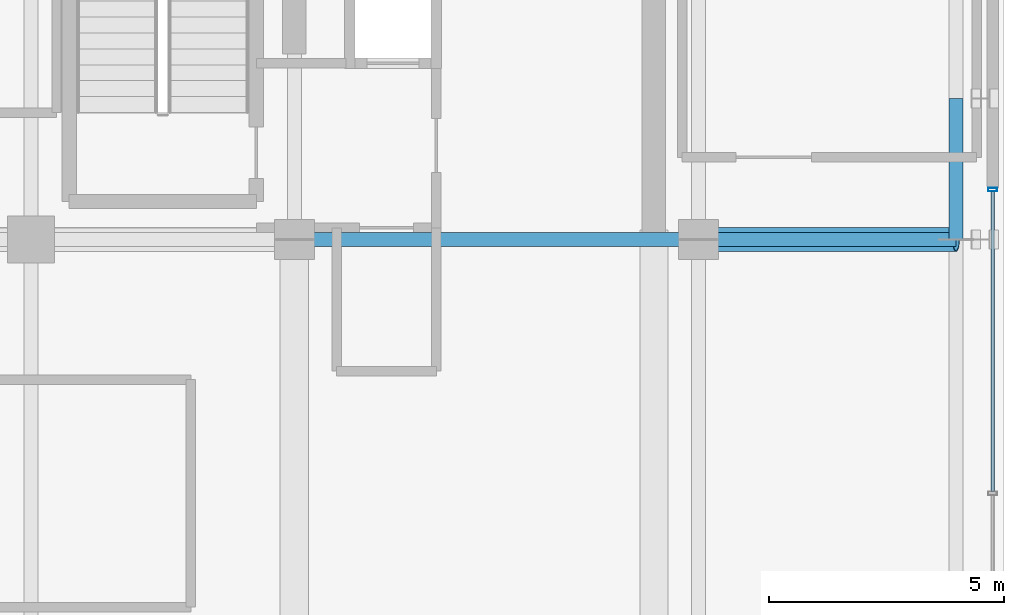
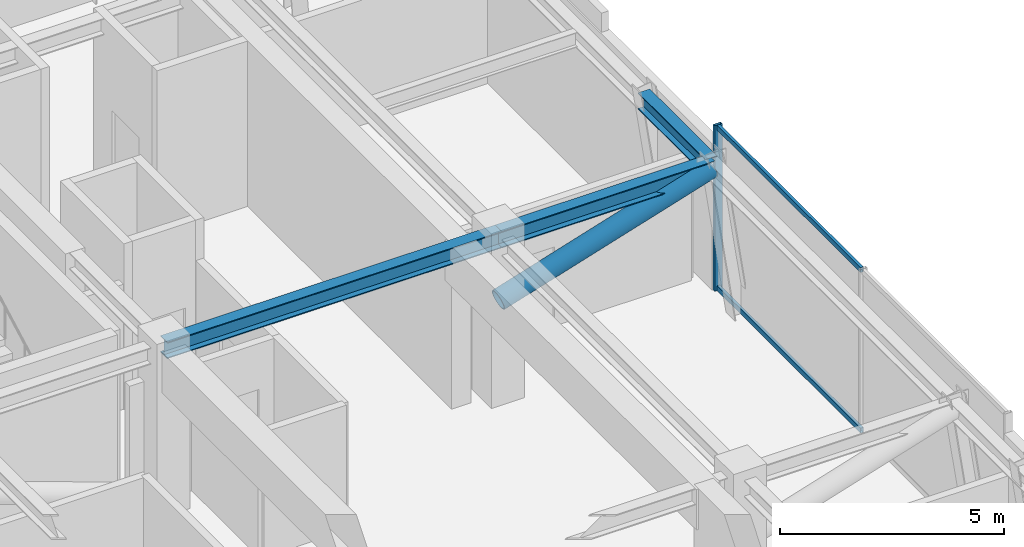
# One storey, part 7 of 15: 4 members, 3 beams, 1 element without a shape of its own.
"""IFC4 building model written with IfcOpenShell, lengths in metres."""

from ifc_helpers import new_model, si_unit, direction, frame, origin, origin_2d, place, context, subcontext, project, spatial, hollow_rectangle, hollow_circle, i_section, extrude, source, transform, mapped, material, material_profile, profile_set, type_object, element, aggregate, save


model = new_model("IFC4")

# Units and contexts
model_context = context("Model", 3, precision=1e-05, world=origin(), true_north=direction((0.0, 1.0)))
body_context = subcontext(model_context, "Body", "Model", "MODEL_VIEW")
ifc_project = project(units=[si_unit("LENGTHUNIT", "METRE"), si_unit("AREAUNIT", "SQUARE_METRE"), si_unit("VOLUMEUNIT", "CUBIC_METRE"), si_unit("PLANEANGLEUNIT", "RADIAN"), si_unit("MASSUNIT", "GRAM", prefix="KILO")], contexts=[model_context])

# Site, building, storey
site_placement = place(None, origin())
site = spatial("IfcSite", under=ifc_project, at=site_placement, CompositionType="ELEMENT")
building_placement = place(site_placement, origin())
building = spatial("IfcBuilding", under=site, at=building_placement, Name="Nahalor Promenade Grand Hotel", CompositionType="ELEMENT")
storey_placement = place(building_placement, frame((0.0, 0.0, 261.5)))
storey = spatial("IfcBuildingStorey", under=building, at=storey_placement, Name="L67", CompositionType="ELEMENT", Elevation=261.5)

# Beams
ifc_material_1 = material(Name="Steel S355JR", Category="steel")
ifc_material_profile_1 = material_profile(ifc_material_1, i_section(OverallWidth=0.3, OverallDepth=0.45, WebThickness=0.014, FlangeThickness=0.026, at=origin_2d()), Name="HEB 450")
ifc_profile_set_1 = profile_set([ifc_material_profile_1], Name="Steel S355JR")
beam_type_1 = type_object("IfcBeamType", Name="Beam-Spandrel-HEB450", PredefinedType="SPANDREL", material=ifc_profile_set_1)
shared_shape_1 = source(origin(), body_context, "Body", "SweptSolid", [
    extrude(i_section(OverallWidth=0.3, OverallDepth=0.45, WebThickness=0.014, FlangeThickness=0.026, at=origin_2d()), origin(), (0.0, 0.0, 1.0), 3.0),
])
beam_1_placement = place(storey_placement, frame((22.47998046875, 5.39990234375, 4.27490234375), z_axis=(0.0, 1.0, 0.0), x_axis=(-1.0, 0.0, 0.0)))
element("IfcBeam", 1, at=beam_1_placement, inside=storey, type_object=beam_type_1, Name="BM-L67-SP-E-3", PredefinedType="SPANDREL", context=body_context, shape_type="MappedRepresentation", body=[
    mapped(shared_shape_1, transform((0.0, 0.0, 0.0), scale=1.0)),
])
ifc_material_profile_2 = material_profile(ifc_material_1, i_section(OverallWidth=0.3, OverallDepth=0.45, WebThickness=0.014, FlangeThickness=0.026, at=origin_2d()), Name="HEB 450")
ifc_profile_set_2 = profile_set([ifc_material_profile_2], Name="Steel S355JR")
beam_type_2 = type_object("IfcBeamType", Name="Beam-Girder-HEB450", PredefinedType="BEAM", material=ifc_profile_set_2)
shared_shape_2 = source(origin(), body_context, "Body", "SweptSolid", [
    extrude(i_section(OverallWidth=0.3, OverallDepth=0.45, WebThickness=0.014, FlangeThickness=0.026, at=origin_2d()), origin(), (0.0, 0.0, 1.0), 8.60009765625),
])
beam_2_placement = place(storey_placement, frame((8.39990234375, 5.39990234375, 4.27490234375), z_axis=(1.0, 0.0, 0.0), x_axis=(0.0, 1.0, 0.0)))
element("IfcBeam", 2, at=beam_2_placement, inside=storey, type_object=beam_type_2, Name="BM-L67-GX-2-5", PredefinedType="BEAM", context=body_context, shape_type="MappedRepresentation", body=[
    mapped(shared_shape_2, transform((0.0, 0.0, 0.0), scale=1.0)),
])
shared_shape_3 = source(origin(), body_context, "Body", "SweptSolid", [
    extrude(i_section(OverallWidth=0.3, OverallDepth=0.45, WebThickness=0.014, FlangeThickness=0.026, at=origin_2d()), origin(), (0.0, 0.0, 1.0), 5.47998046875),
])
beam_3_placement = place(storey_placement, frame((17.0, 5.39990234375, 4.27490234375), z_axis=(1.0, 0.0, 0.0), x_axis=(0.0, 1.0, 0.0)))
element("IfcBeam", 3, at=beam_3_placement, inside=storey, type_object=beam_type_2, Name="BM-L67-GX-2-6", PredefinedType="BEAM", context=body_context, shape_type="MappedRepresentation", body=[
    mapped(shared_shape_3, transform((0.0, 0.0, 0.0), scale=1.0)),
])

# Member
ifc_material_2 = material(Name="Steel S355J2", Category="steel")
ifc_material_profile_3 = material_profile(ifc_material_2, hollow_circle(Radius=0.254, WallThickness=0.025, at=origin_2d()), Name="CHS 508x25")
ifc_profile_set_3 = profile_set([ifc_material_profile_3], Name="Steel S355J2")
member_type_1 = type_object("IfcMemberType", Name="Mem-OutDiag-CHS508", PredefinedType="BRACE", material=ifc_profile_set_3)
shared_shape_4 = source(origin(), body_context, "Body", "SweptSolid", [
    extrude(hollow_circle(Radius=0.254, WallThickness=0.025, at=origin_2d()), origin(), (0.0, 0.0, 1.0), 5.737548828125),
])
member_1_placement = place(storey_placement, frame((17.0, 5.39990234375, 2.550048828125), z_axis=(0.955100265777, 0.0, 0.296282774241), x_axis=(0.0, 1.0, 0.0)))
element("IfcMember", 4, at=member_1_placement, inside=storey, type_object=member_type_1, Name="OU-L67-E2-D0", PredefinedType="BRACE", context=body_context, shape_type="MappedRepresentation", body=[
    mapped(shared_shape_4, transform((0.0, 0.0, 0.0), scale=1.0)),
])

# Curtain wall, members
ifc_material_3 = material(Name="Anodised Bronze Aluminium EN AW-6063 T6", Category="aluminium")
curtain_wall_type = type_object("IfcCurtainWallType", Name="CW6 Crown Botanical Conservatory Curtain Wall", PredefinedType="USERDEFINED", material=ifc_material_3)
curtain_wall_placement = place(storey_placement, origin())
curtain_wall = element("IfcCurtainWall", 5, at=curtain_wall_placement, inside=storey, type_object=curtain_wall_type, Name="L67 Curtain Wall CW-L67-E", ObjectType="UNITISED_CURTAIN_WALL", PredefinedType="USERDEFINED")
ifc_material_profile_4 = material_profile(ifc_material_3, hollow_rectangle(XDim=0.075, YDim=0.135, WallThickness=0.004, at=origin_2d()), Name="CWT 75x135x4")
ifc_profile_set_4 = profile_set([ifc_material_profile_4], Name="Anodised Bronze Aluminium EN AW-6063 T6")
member_type_2 = type_object("IfcMemberType", Name="CWT6 Conservatory Transom 75x135", PredefinedType="USERDEFINED", material=ifc_profile_set_4)
shared_shape_5 = source(origin(), body_context, "Body", "SweptSolid", [
    extrude(hollow_rectangle(XDim=0.075, YDim=0.135, WallThickness=0.004, at=origin_2d()), origin(), (0.0, 0.0, 1.0), 6.387451171875),
])
member_2_placement = place(storey_placement, frame((23.260009765625, 0.03759765625, 0.0673828125), z_axis=(0.0, 1.0, 0.0), x_axis=(-1.0, 0.0, 0.0)))
member_2 = element("IfcMember", 6, at=member_2_placement, type_object=member_type_2, Name="CW-L67-E Transom 1-0", ObjectType="TRANSOM", PredefinedType="USERDEFINED", context=body_context, shape_type="MappedRepresentation", body=[
    mapped(shared_shape_5, transform((0.0, 0.0, 0.0), scale=1.0)),
])
member_3_placement = place(storey_placement, frame((23.260009765625, 0.03759765625, 4.4326171875), z_axis=(0.0, 1.0, 0.0), x_axis=(-1.0, 0.0, 0.0)))
member_3 = element("IfcMember", 7, at=member_3_placement, type_object=member_type_2, Name="CW-L67-E Transom 1-1", ObjectType="TRANSOM", PredefinedType="USERDEFINED", context=body_context, shape_type="MappedRepresentation", body=[
    mapped(shared_shape_5, transform((0.0, 0.0, 0.0), scale=1.0)),
])
ifc_material_profile_5 = material_profile(ifc_material_3, hollow_rectangle(XDim=0.075, YDim=0.19, WallThickness=0.005, at=origin_2d()), Name="CWM 75x190x5")
ifc_profile_set_5 = profile_set([ifc_material_profile_5], Name="Anodised Bronze Aluminium EN AW-6063 T6")
member_type_3 = type_object("IfcMemberType", Name="CWM6 Conservatory Bronze Mullion 75x190", PredefinedType="MULLION", material=ifc_profile_set_5)
shared_shape_6 = source(origin(), body_context, "Body", "SweptSolid", [
    extrude(hollow_rectangle(XDim=0.075, YDim=0.19, WallThickness=0.005, at=origin_2d()), origin(), (0.0, 0.0, 1.0), 4.5),
])
member_4_placement = place(storey_placement, frame((23.260009765625, 6.46240234375, 0.0), z_axis=(0.0, 0.0, 1.0), x_axis=(0.0, 1.0, 0.0)))
member_4 = element("IfcMember", 8, at=member_4_placement, type_object=member_type_3, Name="CW-L67-E Mullion 2", PredefinedType="MULLION", context=body_context, shape_type="MappedRepresentation", body=[
    mapped(shared_shape_6, transform((0.0, 0.0, 0.0), scale=1.0)),
])
aggregate(curtain_wall, [member_4, member_2, member_3])

save(model, "model.ifc")
